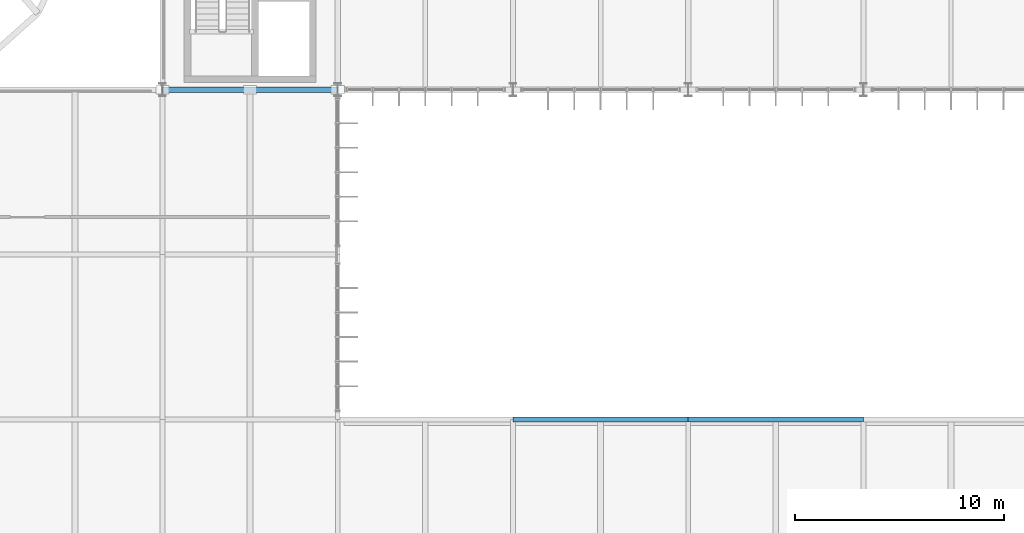
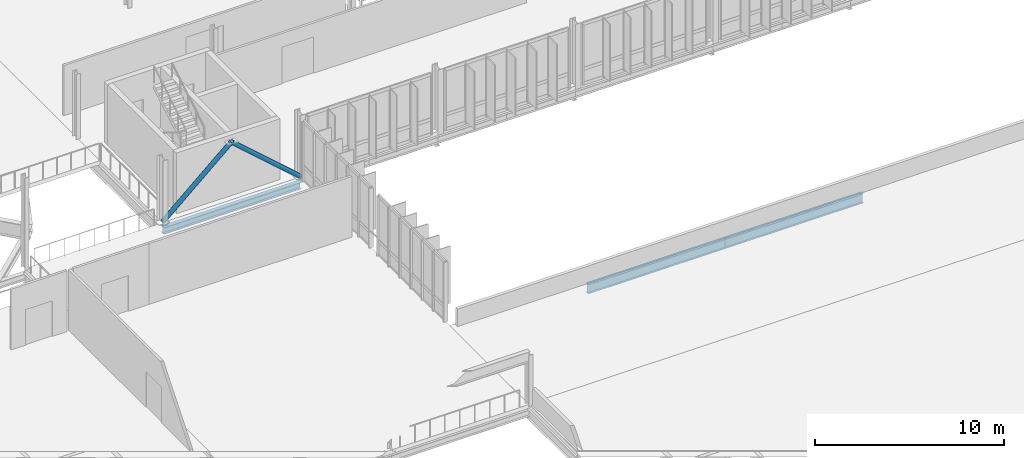
# One storey, part 30 of 107: 3 beams, 2 members.
"""IFC4 building model written with IfcOpenShell, lengths in metres."""

from ifc_helpers import new_model, si_unit, derived_unit, direction, frame, origin, origin_2d, place, context, subcontext, project, spatial, hollow_circle, i_section, extrude, material, material_profile, profile_set, type_object, element, save


model = new_model("IFC4")

# Units and contexts
model_context = context("Model", 3, precision=1e-05, world=origin(), true_north=direction((0.0, 1.0)))
body_context = subcontext(model_context, "Body", "Model", "MODEL_VIEW")
ifc_project = project(units=[si_unit("LENGTHUNIT", "METRE"), si_unit("AREAUNIT", "SQUARE_METRE"), si_unit("VOLUMEUNIT", "CUBIC_METRE"), si_unit("PLANEANGLEUNIT", "RADIAN"), si_unit("MASSUNIT", "GRAM", prefix="KILO"), derived_unit("THERMALTRANSMITTANCEUNIT", [(si_unit("MASSUNIT", "GRAM", prefix="KILO"), 1), (si_unit("TIMEUNIT", "SECOND"), -3), (si_unit("THERMODYNAMICTEMPERATUREUNIT", "KELVIN"), -1)])], contexts=[model_context])

# Site, building, storey
site_placement = place(None, origin())
site = spatial("IfcSite", under=ifc_project, at=site_placement, CompositionType="ELEMENT")
building_placement = place(site_placement, origin())
building = spatial("IfcBuilding", under=site, at=building_placement, Name="Makaiwela Harbour Ferry Terminal", CompositionType="ELEMENT")
storey_placement = place(building_placement, frame((0.0, 0.0, 9.60009765625)))
storey = spatial("IfcBuildingStorey", under=building, at=storey_placement, Name="L02", CompositionType="ELEMENT", Elevation=9.60009765625)

# Members
ifc_material_1 = material(Name="Steel ASTM A500 Grade C", Category="steel")
ifc_material_profile_1 = material_profile(ifc_material_1, hollow_circle(Radius=0.136474609375, WallThickness=0.0126953125, at=origin_2d()), Name="PIPE10XS")
ifc_profile_set_1 = profile_set([ifc_material_profile_1], Name="Steel ASTM A500 Grade C")
member_type = type_object("IfcMemberType", Name="STR-BRC-PIPE10", PredefinedType="BRACE", material=ifc_profile_set_1)
for number, where, z_axis, x_axis, name in (
    (1, (63.0, 49.39990234375, 0.0498046875), (0.750835585899, 0.0, 0.660489154299), (0.0, 1.0, 0.0), "Lateral chevron brace 12A"),
    (2, (71.39990234375, 49.39990234375, 0.0498046875), (-0.750835585899, 0.0, 0.660489154299), (0.0, -1.0, 0.0), "Lateral chevron brace 12B"),
):
    element("IfcMember", number, at=place(storey_placement, frame(where, z_axis=z_axis, x_axis=x_axis)), inside=storey, type_object=member_type, Name=name, PredefinedType="BRACE", context=body_context, shape_type="SweptSolid", body=[
        extrude(hollow_circle(Radius=0.136474609375, WallThickness=0.0126953125, at=origin_2d()), origin(), (0.0, 0.0, 1.0), 5.59375),
    ])

# Beams
ifc_material_2 = material(Name="Steel ASTM A992 Grade 50", Category="steel")
ifc_material_profile_2 = material_profile(ifc_material_2, i_section(OverallWidth=0.22900390625, OverallDepth=0.612060546875, WebThickness=0.011962890625, FlangeThickness=0.01953125, at=origin_2d()), Name="W24X84")
ifc_profile_set_2 = profile_set([ifc_material_profile_2], Name="Steel ASTM A992 Grade 50")
beam_type_1 = type_object("IfcBeamType", Name="STR-GRD-W24X84", PredefinedType="USERDEFINED", material=ifc_profile_set_2)
beam_1_placement = place(storey_placement, frame((79.800048828125, 33.60009765625, -0.546142578125), z_axis=(1.0, 0.0, 0.0), x_axis=(0.0, 1.0, 0.0)))
element("IfcBeam", 3, at=beam_1_placement, inside=storey, type_object=beam_type_1, Name="Primary X girder 1251", ObjectType="GIRDER", PredefinedType="USERDEFINED", context=body_context, shape_type="SweptSolid", body=[
    extrude(i_section(OverallWidth=0.22900390625, OverallDepth=0.612060546875, WebThickness=0.011962890625, FlangeThickness=0.01953125, at=origin_2d()), origin(), (0.0, 0.0, 1.0), 8.39990234375),
])
beam_2_placement = place(storey_placement, frame((88.199951171875, 33.60009765625, -0.546142578125), z_axis=(1.0, 0.0, 0.0), x_axis=(0.0, 1.0, 0.0)))
element("IfcBeam", 4, at=beam_2_placement, inside=storey, type_object=beam_type_1, Name="Primary X girder 1252", ObjectType="GIRDER", PredefinedType="USERDEFINED", context=body_context, shape_type="SweptSolid", body=[
    extrude(i_section(OverallWidth=0.22900390625, OverallDepth=0.612060546875, WebThickness=0.011962890625, FlangeThickness=0.01953125, at=origin_2d()), origin(), (0.0, 0.0, 1.0), 8.400146484375),
])
ifc_material_profile_3 = material_profile(ifc_material_2, i_section(OverallWidth=0.264892578125, OverallDepth=0.430908203125, WebThickness=0.014892578125, FlangeThickness=0.02490234375, at=origin_2d()), Name="W16X100")
ifc_profile_set_3 = profile_set([ifc_material_profile_3], Name="Steel ASTM A992 Grade 50")
beam_type_2 = type_object("IfcBeamType", Name="STR-SPN-W16X100", PredefinedType="SPANDREL", material=ifc_profile_set_3)
beam_3_placement = place(storey_placement, frame((63.0, 49.39990234375, -0.4755859375), z_axis=(1.0, 0.0, 0.0), x_axis=(0.0, 1.0, 0.0)))
element("IfcBeam", 5, at=beam_3_placement, inside=storey, type_object=beam_type_2, Name="Primary X girder 1273", PredefinedType="SPANDREL", context=body_context, shape_type="SweptSolid", body=[
    extrude(i_section(OverallWidth=0.264892578125, OverallDepth=0.430908203125, WebThickness=0.014892578125, FlangeThickness=0.02490234375, at=origin_2d()), origin(), (0.0, 0.0, 1.0), 8.39990234375),
])

save(model, "model.ifc")
